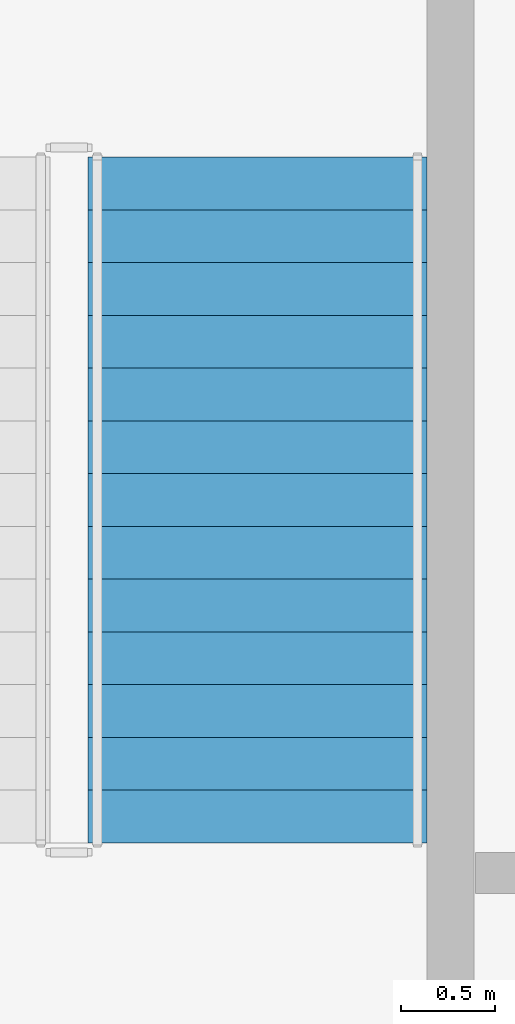
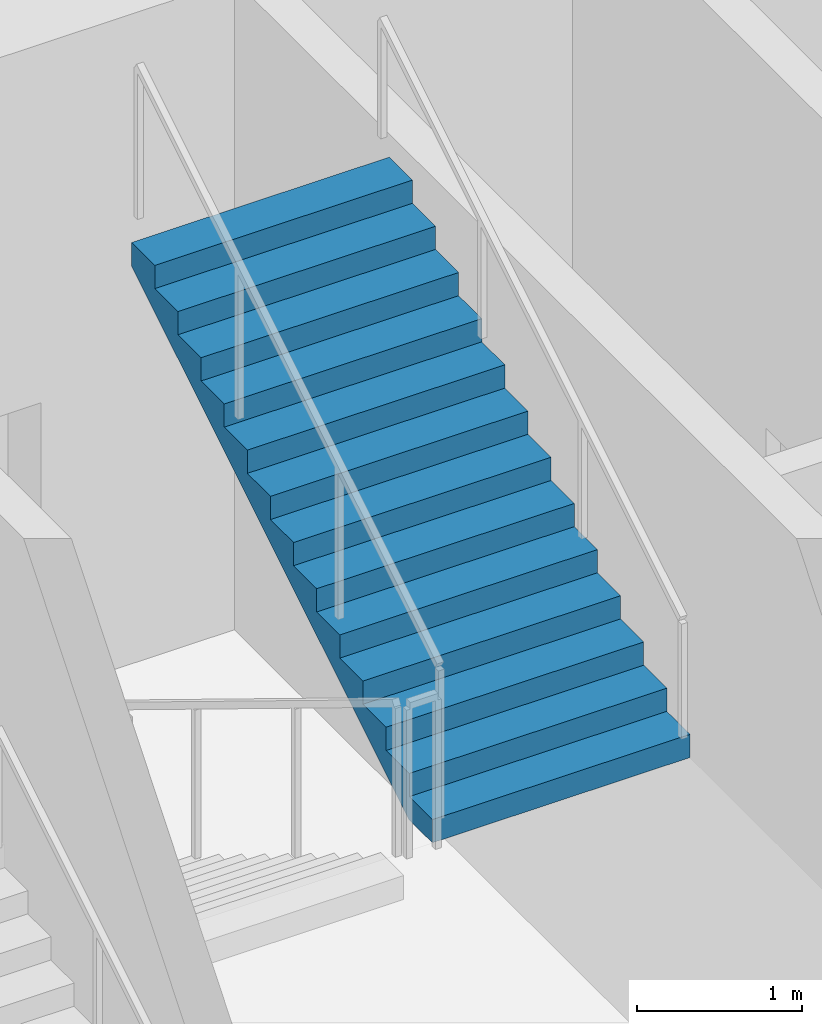
# One storey, part 4 of 5: 1 stair flight, 1 element without a shape of its own.
"""IFC4 building model written with IfcOpenShell, lengths in metres."""

from ifc_helpers import new_model, si_unit, direction, frame, origin, place, context, subcontext, project, spatial, polyline, outline, extrude, material, type_object, element, aggregate, save


model = new_model("IFC4")

# Units and contexts
model_context = context("Model", 3, precision=1e-05, world=origin(), true_north=direction((0.0, 1.0)))
body_context = subcontext(model_context, "Body", "Model", "MODEL_VIEW")
ifc_project = project(units=[si_unit("LENGTHUNIT", "METRE"), si_unit("AREAUNIT", "SQUARE_METRE"), si_unit("VOLUMEUNIT", "CUBIC_METRE"), si_unit("PLANEANGLEUNIT", "RADIAN"), si_unit("MASSUNIT", "GRAM", prefix="KILO")], contexts=[model_context])

# Site, building, storey
site_placement = place(None, origin())
site = spatial("IfcSite", under=ifc_project, at=site_placement, CompositionType="ELEMENT")
building_placement = place(site_placement, origin())
building = spatial("IfcBuilding", under=site, at=building_placement, Name="Zuhravey Tower", CompositionType="ELEMENT")
storey_placement = place(building_placement, frame((0.0, 0.0, -9.60009765625)))
storey = spatial("IfcBuildingStorey", under=building, at=storey_placement, Name="B02", CompositionType="ELEMENT", Elevation=-9.60009765625)

# Stair, stair flight
ifc_material = material(Name="Concrete C40/50", Category="concrete")
stair_type = type_object("IfcStairType", Name="Basement Stair Assembly 4800", PredefinedType="HALF_TURN_STAIR", material=ifc_material)
stair_placement = place(storey_placement, origin())
stair = element("IfcStair", 1, at=stair_placement, inside=storey, type_object=stair_type, Name="B02 Core Exit Stair ST3", PredefinedType="HALF_TURN_STAIR")
stair_flight_type = type_object("IfcStairFlightType", Name="Basement Stair Flight 4800", PredefinedType="STRAIGHT", material=ifc_material)
stair_flight_placement = place(storey_placement, frame((32.949951171875, 35.56005859375, 2.400146484375), z_axis=(0.0, 0.0, 1.0), x_axis=(0.0, 1.0, 0.0)))
stair_flight = element("IfcStairFlight", 2, at=stair_flight_placement, type_object=stair_flight_type, Name="ST3 flight 2", NumberOfRisers=14, NumberOfTreads=13, PredefinedType="STRAIGHT", RiserHeight=0.171428571, TreadLength=0.28, context=body_context, shape_type="SweptSolid", body=[
    extrude(outline(polyline([(0.0, 0.0), (0.0, 0.17138671875), (0.280029296875, 0.17138671875), (0.280029296875, 0.3427734375), (0.56005859375, 0.3427734375), (0.56005859375, 0.514404296875), (0.840087890625, 0.514404296875), (0.840087890625, 0.685791015625), (1.1201171875, 0.685791015625), (1.1201171875, 0.857177734375), (1.39990234375, 0.857177734375), (1.39990234375, 1.028564453125), (1.679931640625, 1.028564453125), (1.679931640625, 1.199951171875), (1.9599609375, 1.199951171875), (1.9599609375, 1.371337890625), (2.239990234375, 1.371337890625), (2.239990234375, 1.54296875), (2.52001953125, 1.54296875), (2.52001953125, 1.71435546875), (2.800048828125, 1.71435546875), (2.800048828125, 1.8857421875), (3.080078125, 1.8857421875), (3.080078125, 2.05712890625), (3.360107421875, 2.05712890625), (3.360107421875, 2.228515625), (3.639892578125, 2.228515625), (3.639892578125, 2.39990234375), (3.639892578125, 2.052734375), (0.287109375, 0.0), (0.0, 0.0)])), frame((0.0, 0.89990234375, 0.0), z_axis=(0.0, -1.0, 0.0), x_axis=(1.0, 0.0, 0.0)), (0.0, 0.0, 1.0), 1.800048828125),
])
aggregate(stair, [stair_flight])

save(model, "model.ifc")
